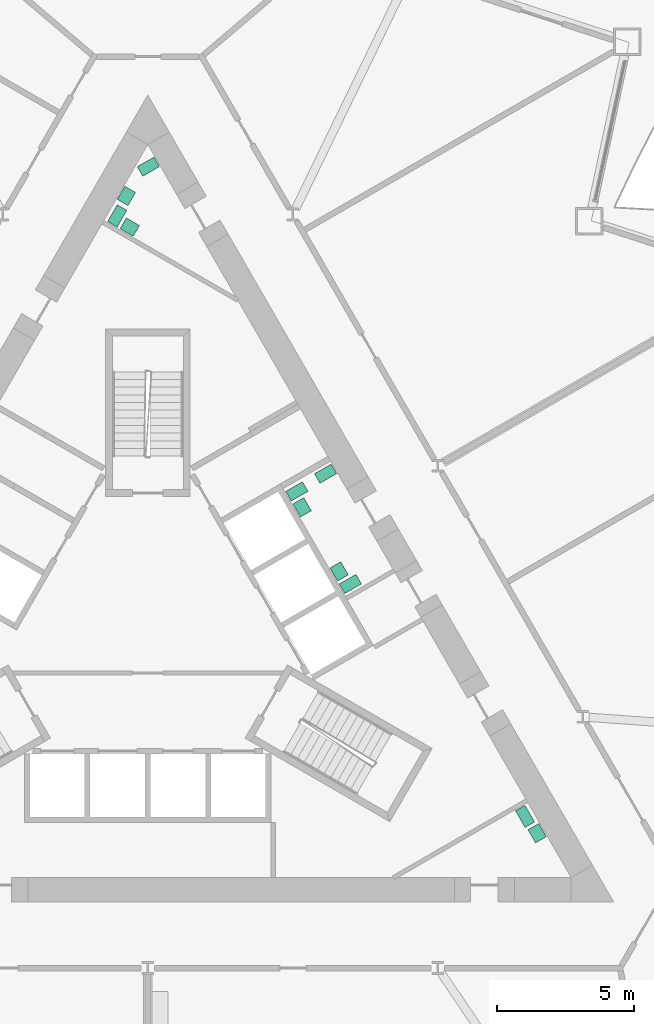
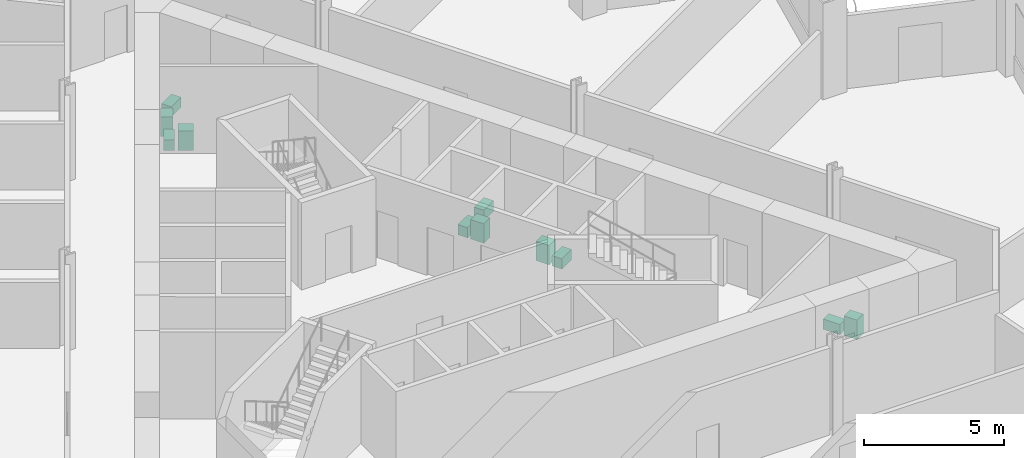
# One storey, part 20 of 21: 11 sanitary terminals.
"""IFC4 building model written with IfcOpenShell, lengths in metres."""

import ifcopenshell
import ifcopenshell.guid

model = None  # the IFC model being written
_history = None  # IfcOwnerHistory: only IFC2X3 demands one
_inside = {}  # id of a spatial element -> (the spatial element, [elements in it])
_under = {}  # id of a project, library or spatial element -> (it, [spatial elements below it])
_declared = {}  # id of a project -> (the project, [libraries it declares])
_typed = {}  # id of a type object -> (the type object, [elements of that type])
_made_of = {}  # id of a material, layer set ... -> (it, [elements and type objects made of it])


def new_model(schema):
    """Start an empty IFC model of exactly this schema.

    Asked for "IFC4X3", IfcOpenShell would pick the latest addendum, in which some entities
    have other attributes; the version numbers below select the first issue.
    IFC2X3 requires an IfcOwnerHistory on every rooted entity: one is made here for all.
    """
    global model, _history
    if schema == "IFC4X3":
        model = ifcopenshell.file(schema_version=(4, 3, 0, 0))
    else:
        model = ifcopenshell.file(schema=schema)
    _inside.clear()
    _under.clear()
    _declared.clear()
    _typed.clear()
    _made_of.clear()
    _history = None
    if model.schema == "IFC2X3":
        org = make("IfcOrganization", Name="unknown")
        user = make(
            "IfcPersonAndOrganization",
            ThePerson=make("IfcPerson", FamilyName="unknown"),
            TheOrganization=org,
        )
        app = make(
            "IfcApplication",
            ApplicationDeveloper=org,
            Version="unknown",
            ApplicationFullName="unknown",
            ApplicationIdentifier="unknown",
        )
        _history = make(
            "IfcOwnerHistory",
            OwningUser=user,
            OwningApplication=app,
            ChangeAction="ADDED",
            CreationDate=0,
        )
    return model


def make(cls, **values):
    """One entity of the class cls with the attributes given. An attribute that is None is left unset."""
    return model.create_entity(
        cls, **{name: value for name, value in values.items() if value is not None}
    )


def rooted(cls, **values):
    """An entity with a GlobalId (a new one), such as an element, a storey or a relation."""
    return make(cls, GlobalId=ifcopenshell.guid.new(), OwnerHistory=_history, **values)


def si_unit(unit_type, name, prefix=None):
    """IfcSIUnit, for example si_unit("LENGTHUNIT", "METRE", prefix="MILLI")."""
    return make("IfcSIUnit", UnitType=unit_type, Prefix=prefix, Name=name)


def assignment(units):
    """IfcUnitAssignment: the units of a project."""
    return None if units is None else make("IfcUnitAssignment", Units=units)


def point(xyz):
    """IfcCartesianPoint."""
    return None if xyz is None else make("IfcCartesianPoint", Coordinates=xyz)


def direction(xyz):
    """IfcDirection."""
    return None if xyz is None else make("IfcDirection", DirectionRatios=xyz)


def frame(location, z_axis=None, x_axis=None):
    """IfcAxis2Placement3D, a coordinate frame: its origin and axes. An axis left out is left unset."""
    return make(
        "IfcAxis2Placement3D",
        Location=point(location),
        Axis=direction(z_axis),
        RefDirection=direction(x_axis),
    )


def frame_2d(location, x_axis=None):
    """IfcAxis2Placement2D, a coordinate frame in the plane: its origin and x axis."""
    return make(
        "IfcAxis2Placement2D", Location=point(location), RefDirection=direction(x_axis)
    )


def origin():
    """The frame at (0, 0, 0) with its axes left unset."""
    return frame((0.0, 0.0, 0.0))


def origin_2d():
    """The frame at (0, 0) in the plane with its x axis left unset."""
    return frame_2d((0.0, 0.0))


def place(relative_to, where):
    """IfcLocalPlacement: puts the frame where relative to a parent placement (None: the world)."""
    return make(
        "IfcLocalPlacement", PlacementRelTo=relative_to, RelativePlacement=where
    )


def context(
    kind, dimensions, precision=None, world=None, true_north=None, identifier=None
):
    """IfcGeometricRepresentationContext, for example the 3D "Model" context."""
    return make(
        "IfcGeometricRepresentationContext",
        ContextIdentifier=identifier,
        ContextType=kind,
        CoordinateSpaceDimension=dimensions,
        Precision=precision,
        WorldCoordinateSystem=world,
        TrueNorth=true_north,
    )


def subcontext(parent, identifier, kind, view, scale=None):
    """IfcGeometricRepresentationSubContext, for example "Body" below "Model"."""
    return make(
        "IfcGeometricRepresentationSubContext",
        ContextIdentifier=identifier,
        ContextType=kind,
        ParentContext=parent,
        TargetScale=scale,
        TargetView=view,
    )


def project(units=None, contexts=None):
    """IfcProject with its units and contexts."""
    return rooted(
        "IfcProject",
        Name="project",
        RepresentationContexts=contexts,
        UnitsInContext=assignment(units),
    )


def spatial(cls, under=None, at=None, **own):
    """A site, building, storey or space (cls), placed at a placement, below another one or the project."""
    s = rooted(cls, ObjectPlacement=at, **own)
    if under is not None:
        _under.setdefault(under.id(), (under, []))[1].append(s)
    return s


def profile(cls, at=None, kind="AREA", **sizes):
    """A parametric profile (cls). Its sizes go by their IFC names, for example OverallWidth=200.0."""
    return make(cls, ProfileType=kind, Position=at, **sizes)


def rectangle(**sizes):
    """IfcRectangleProfileDef."""
    return profile("IfcRectangleProfileDef", **sizes)


def extrude(swept, where, along, depth):
    """IfcExtrudedAreaSolid: the profile swept, set in the frame where, extruded along a direction by depth."""
    return make(
        "IfcExtrudedAreaSolid",
        SweptArea=swept,
        Position=where,
        ExtrudedDirection=direction(along),
        Depth=depth,
    )


def shape(context_of_items, identifier, shape_type, items):
    """IfcShapeRepresentation: the items that make up one representation, for example the "Body"."""
    return make(
        "IfcShapeRepresentation",
        ContextOfItems=context_of_items,
        RepresentationIdentifier=identifier,
        RepresentationType=shape_type,
        Items=items,
    )


def material(Name=None, Category=None):
    """IfcMaterial."""
    return make("IfcMaterial", Name=Name, Category=Category)


def made_of(thing, what):
    """Note that an element or type object is made of a material, layer set ...; save() writes the relation."""
    if what is not None:
        _made_of.setdefault(what.id(), (what, []))[1].append(thing)
    return thing


def type_object(cls, material=None, **own):
    """A type object (cls), such as IfcWallType, which elements share."""
    return made_of(rooted(cls, **own), material)


def element(
    cls,
    number,
    at=None,
    inside=None,
    cuts=None,
    type_object=None,
    material=None,
    context=None,
    identifier="Body",
    shape_type=None,
    held_by="IfcProductDefinitionShape",
    body=None,
    shapes=None,
    **own,
):
    """One element of the class cls, such as IfcWall. Its Tag is "e" and its number.

    at: its placement. inside: the storey or other place that contains it. cuts: it is an
    opening in that element (IfcRelVoidsElement). A single representation is given by context,
    identifier, shape_type and body (its items); several are given by shapes. held_by: the class
    of the entity that holds the representations. save() writes the other relations.
    """
    e = rooted(cls, Tag="e%d" % number, ObjectPlacement=at, **own)
    if body is not None:
        shapes = [shape(context, identifier, shape_type, body)]
    if shapes is not None:
        e.Representation = make(held_by, Representations=shapes)
    if inside is not None:
        _inside.setdefault(inside.id(), (inside, []))[1].append(e)
    if cuts is not None:
        rooted(
            "IfcRelVoidsElement", RelatingBuildingElement=cuts, RelatedOpeningElement=e
        )
    if type_object is not None:
        _typed.setdefault(type_object.id(), (type_object, []))[1].append(e)
    return made_of(e, material)


def aggregate(whole, parts):
    """IfcRelAggregates: a whole, such as a stair, and the parts it consists of."""
    return rooted("IfcRelAggregates", RelatingObject=whole, RelatedObjects=parts)


def save(model, path):
    """Write the relations noted so far, then the file.

    IfcRelAggregates (storeys below a building ...), IfcRelContainedInSpatialStructure (elements
    in a storey), IfcRelDefinesByType, IfcRelAssociatesMaterial and IfcRelDeclares: one each for
    every whole, place, type object, material and project.
    """
    for whole, parts in _under.values():
        aggregate(whole, parts)
    for where, things in _inside.values():
        rooted(
            "IfcRelContainedInSpatialStructure",
            RelatedElements=things,
            RelatingStructure=where,
        )
    for kind, things in _typed.values():
        rooted("IfcRelDefinesByType", RelatedObjects=things, RelatingType=kind)
    for what, things in _made_of.values():
        rooted("IfcRelAssociatesMaterial", RelatedObjects=things, RelatingMaterial=what)
    for by, libraries in _declared.values():
        rooted("IfcRelDeclares", RelatingContext=by, RelatedDefinitions=libraries)
    model.write(path)


model = new_model("IFC4")

# Units and contexts
model_context = context("Model", 3, precision=1e-05, world=origin(), true_north=direction((0.0, 1.0)))
body_context = subcontext(model_context, "Body", "Model", "MODEL_VIEW")
ifc_project = project(units=[si_unit("LENGTHUNIT", "METRE"), si_unit("AREAUNIT", "SQUARE_METRE"), si_unit("VOLUMEUNIT", "CUBIC_METRE"), si_unit("PLANEANGLEUNIT", "RADIAN"), si_unit("MASSUNIT", "GRAM", prefix="KILO")], contexts=[model_context])

# Site, building, storey
site_placement = place(None, origin())
site = spatial("IfcSite", under=ifc_project, at=site_placement, CompositionType="ELEMENT")
building_placement = place(site_placement, origin())
building = spatial("IfcBuilding", under=site, at=building_placement, Name="Cormorant Prow Tower", CompositionType="ELEMENT")
storey_placement = place(building_placement, frame((0.0, 0.0, 76.199951171875)))
storey = spatial("IfcBuildingStorey", under=building, at=storey_placement, Name="L16", CompositionType="ELEMENT", Elevation=76.199951171875)

# Sanitary terminals
ifc_material_1 = material(Name="Vitreous china")
sanitary_terminal_type_1 = type_object("IfcSanitaryTerminalType", Name="Wash basin 550x450", PredefinedType="WASHHANDBASIN", material=ifc_material_1)
for number, where, z_axis, x_axis, name in (
    (1, (5.63037109375, 4.590087890625, 0.0), (0.0, 0.0, 1.0), (0.5, -0.866025403784, 0.0), "Wash basin"),
    (2, (6.980224609375, 2.251953125, 0.0), (0.0, 0.0, 1.0), (0.5, -0.866025403784, 0.0), "Wash basin"),
    (3, (-0.7802734375, 15.94873046875, 0.0), (0.0, 0.0, 1.0), (-0.500015114919, -0.866016677006, 0.0), "Wash basin"),
    (4, (-0.656982421875, 14.811767578125, 0.0), (0.0, 0.0, 1.0), (0.866025403784, -0.5, 0.0), "Wash basin"),
    (5, (14.2021484375, -7.298828125, 0.0), (0.0, 0.0, 1.0), (-0.5, 0.866025403784, 0.0), "Wash basin"),
):
    element("IfcSanitaryTerminal", number, at=place(storey_placement, frame(where, z_axis=z_axis, x_axis=x_axis)), inside=storey, type_object=sanitary_terminal_type_1, Name=name, PredefinedType="WASHHANDBASIN", context=body_context, shape_type="SweptSolid", body=[
        extrude(rectangle(XDim=0.550048828125, YDim=0.449951171875, at=origin_2d()), origin(), (0.0, 0.0, 1.0), 0.85009765625),
    ])
ifc_material_2 = material(Name="Vitreous china")
sanitary_terminal_type_2 = type_object("IfcSanitaryTerminalType", Name="Water closet 400x700", PredefinedType="WCSEAT", material=ifc_material_2)
for number, where, z_axis, x_axis, name in (
    (6, (7.388427734375, 1.794677734375, 0.0), (0.0, 0.0, 1.0), (0.5, -0.866025403784, 0.0), "Water closet"),
    (7, (5.438720703125, 5.172119140625, 0.0), (0.0, 0.0, 1.0), (0.5, -0.866025403784, 0.0), "Water closet"),
    (8, (6.4853515625, 5.81689453125, 0.0), (0.0, 0.0, 1.0), (-0.5, 0.866025403784, 0.0), "Water closet"),
    (9, (-1.1142578125, 15.219970703125, 0.0), (0.0, 0.0, 1.0), (0.866025403784, -0.5, 0.0), "Water closet"),
    (10, (0.02001953125, 17.015380859375, 0.0), (0.0, 0.0, 1.0), (-0.5, 0.866025403784, 0.0), "Water closet"),
    (11, (13.760498046875, -6.68408203125, 0.0), (0.0, 0.0, 1.0), (-0.866025403784, -0.5, 0.0), "Water closet"),
):
    element("IfcSanitaryTerminal", number, at=place(storey_placement, frame(where, z_axis=z_axis, x_axis=x_axis)), inside=storey, type_object=sanitary_terminal_type_2, Name=name, PredefinedType="WCSEAT", context=body_context, shape_type="SweptSolid", body=[
        extrude(rectangle(XDim=0.39990234375, YDim=0.699951171875, at=origin_2d()), origin(), (0.0, 0.0, 1.0), 0.449951171875),
    ])

save(model, "model.ifc")
